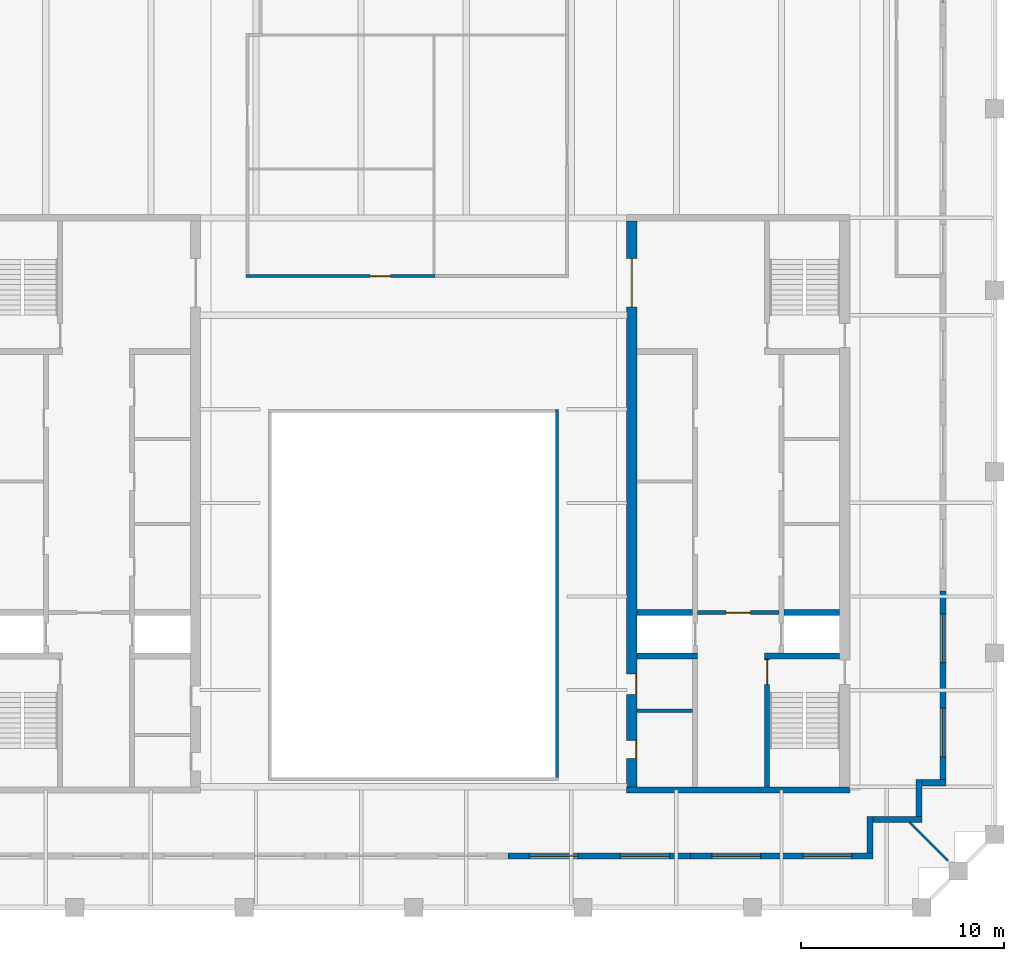
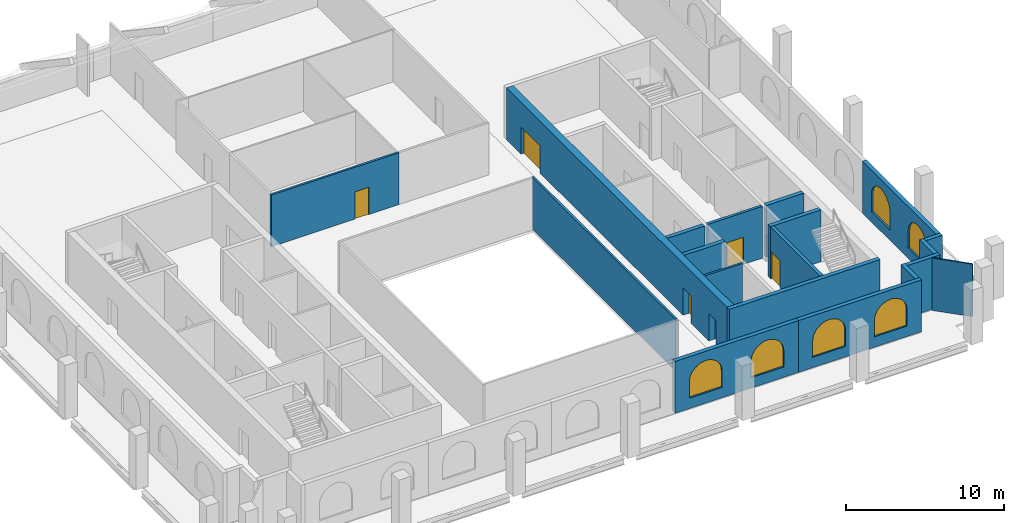
# One storey, part 4 of 8: 19 walls, 6 doors, 6 windows, 12 openings.
"""IFC4 building model written with IfcOpenShell, lengths in metres."""

from ifc_helpers import new_model, si_unit, direction, frame, frame_2d, origin, place, context, subcontext, project, spatial, polyline, rectangle, outline, extrude, material, layer, layer_set, type_object, element, fill, save


model = new_model("IFC4")

# Units and contexts
model_context = context("Model", 3, precision=1e-05, world=origin(), true_north=direction((0.0, 1.0)))
body_context = subcontext(model_context, "Body", "Model", "MODEL_VIEW")
ifc_project = project(units=[si_unit("LENGTHUNIT", "METRE"), si_unit("AREAUNIT", "SQUARE_METRE"), si_unit("VOLUMEUNIT", "CUBIC_METRE"), si_unit("PLANEANGLEUNIT", "RADIAN"), si_unit("MASSUNIT", "GRAM", prefix="KILO")], contexts=[model_context])

# Site, building, storey
site_placement = place(None, origin())
site = spatial("IfcSite", under=ifc_project, at=site_placement, CompositionType="ELEMENT")
building_placement = place(site_placement, origin())
building = spatial("IfcBuilding", under=site, at=building_placement, Name="Ogive Exchange Tower", CompositionType="ELEMENT")
storey_placement = place(building_placement, frame((0.0, 0.0, 377.39990234375)))
storey = spatial("IfcBuildingStorey", under=building, at=storey_placement, Name="C03", CompositionType="ELEMENT", Elevation=377.39990234375)

# Wall
ifc_material_1 = material(Name="Gypsum board partition")
ifc_layer_1 = layer(ifc_material_1, 0.14990234375)
ifc_layer_set_1 = layer_set([ifc_layer_1], Name="Core room partition 150 gypsum")
wall_type_1 = type_object("IfcWallType", Name="Core room partition 150 gypsum", PredefinedType="PARTITIONING", material=ifc_layer_set_1)
wall_1_placement = place(storey_placement, frame((11.0, 1.300048828125, 0.0), z_axis=(0.0, 0.0, 1.0), x_axis=(1.0, 0.0, 0.0)))
element("IfcWall", 1, at=wall_1_placement, inside=storey, type_object=wall_type_1, Name="E south room partition", PredefinedType="PARTITIONING", context=body_context, shape_type="SweptSolid", body=[
    extrude(rectangle(XDim=2.75, YDim=0.14990234375, at=frame_2d((1.375, 0.0))), origin(), (0.0, 0.0, 1.0), 4.0),
])

# Wall, opening, door
ifc_material_2 = material(Name="Fire partition EI 60 150")
ifc_layer_2 = layer(ifc_material_2, 0.14990234375)
ifc_layer_set_2 = layer_set([ifc_layer_2], Name="Fire partition EI 60 150")
wall_type_2 = type_object("IfcWallType", Name="Fire partition EI 60 150", PredefinedType="PARTITIONING", material=ifc_layer_set_2)
wall_2_placement = place(storey_placement, frame((-8.27490234375, 22.719970703125, 0.0), z_axis=(0.0, 0.0, 1.0), x_axis=(1.0, 0.0, 0.0)))
wall_2 = element("IfcWall", 2, at=wall_2_placement, inside=storey, type_object=wall_type_2, Name="C03-PWL-006", PredefinedType="PARTITIONING", context=body_context, shape_type="SweptSolid", body=[
    extrude(rectangle(XDim=9.324951171875, YDim=0.14990234375, at=frame_2d((4.66259765625, 0.0))), origin(), (0.0, 0.0, 1.0), 4.0),
])
opening_1_placement = place(wall_2_placement, frame((6.125, 0.0, 0.0)))
opening_1 = element("IfcOpeningElement", 3, at=opening_1_placement, cuts=wall_2, Name="Opening C03-I03", PredefinedType="OPENING", context=body_context, shape_type="SweptSolid", body=[
    extrude(rectangle(XDim=1.0, YDim=2.10009765625, at=frame_2d((0.5, 1.050048828125))), frame((0.0, 0.0849609375, 0.0), z_axis=(0.0, -1.0, 0.0), x_axis=(1.0, 0.0, 0.0)), (0.0, 0.0, 1.0), 0.169921875),
])
ifc_material_3 = material(Name="Fire door FD 30S 1000 x 2100")
door_type_1 = type_object("IfcDoorType", Name="Fire door FD 30S 1000 x 2100", OperationType="NOTDEFINED", PredefinedType="DOOR", material=ifc_material_3)
door_1_placement = place(opening_1_placement, origin())
door_1 = element("IfcDoor", 4, at=door_1_placement, inside=storey, type_object=door_type_1, Name="C03-IDR-003", ObjectType="DT3", OperationType="SINGLE_SWING_LEFT", OverallHeight=2.10009765625, OverallWidth=1.0, PredefinedType="DOOR", context=body_context, shape_type="SweptSolid", body=[
    extrude(rectangle(XDim=1.0, YDim=2.10009765625, at=frame_2d((0.5, 1.050048828125))), frame((0.0, 0.02490234375, 0.0), z_axis=(0.0, -1.0, 0.0), x_axis=(1.0, 0.0, 0.0)), (0.0, 0.0, 1.0), 0.050048828125),
])
fill(opening_1, door_1)

# Walls
ifc_material_4 = material(Name="Fire-resisting glass in steel frame", Category="steel")
ifc_layer_3 = layer(ifc_material_4, 0.14990234375)
ifc_layer_set_3 = layer_set([ifc_layer_3], Name="Fire-rated glazed wall 150")
wall_type_3 = type_object("IfcWallType", Name="Fire-rated glazed wall 150", PredefinedType="STANDARD", material=ifc_layer_set_3)
wall_3_placement = place(storey_placement, frame((7.074951171875, 16.14990234375, 0.0), z_axis=(0.0, 0.0, 1.0), x_axis=(0.0, -1.0, 0.0)))
element("IfcWall", 5, at=wall_3_placement, inside=storey, type_object=wall_type_3, Name="Nave enclosure wall 3", PredefinedType="STANDARD", context=body_context, shape_type="SweptSolid", body=[
    extrude(rectangle(XDim=18.14990234375, YDim=0.14990234375, at=frame_2d((9.074951171875, 0.0))), origin(), (0.0, 0.0, 1.0), 4.0),
])
ifc_material_5 = material(Name="Laminated safety glass in steel frame", Category="steel")
ifc_layer_4 = layer(ifc_material_5, 0.10009765625)
ifc_layer_set_4 = layer_set([ifc_layer_4], Name="Loggia end screen 100")
wall_type_4 = type_object("IfcWallType", Name="Loggia end screen 100", PredefinedType="STANDARD", material=ifc_layer_set_4)
wall_4_placement = place(storey_placement, frame((24.449951171875, -4.199951171875, -0.0498046875), z_axis=(0.0, 0.0, 1.0), x_axis=(0.707106781187, -0.707106781187, 0.0)))
element("IfcWall", 6, at=wall_4_placement, inside=storey, type_object=wall_type_4, Name="Loggia end screen C1", PredefinedType="STANDARD", context=body_context, shape_type="SweptSolid", body=[
    extrude(rectangle(XDim=2.667236328125, YDim=0.10009765625, at=frame_2d((1.33349609375, 0.0))), origin(), (0.0, 0.0, 1.0), 4.0498046875),
])

# Wall, opening, door
ifc_material_6 = material(Name="Concrete C70/85", Category="concrete")
ifc_layer_5 = layer(ifc_material_6, 0.199951171875)
ifc_layer_set_5 = layer_set([ifc_layer_5], Name="RC core wall 200 C70/85")
wall_type_5 = type_object("IfcWallType", Name="RC core wall 200 C70/85", PredefinedType="SHEAR", material=ifc_layer_set_5)
wall_5_placement = place(storey_placement, frame((14.0, 6.142822265625, 0.0), z_axis=(0.0, 0.0, 1.0), x_axis=(1.0, 0.0, 0.0)))
wall_5 = element("IfcWall", 7, at=wall_5_placement, inside=storey, type_object=wall_type_5, Name="E firefighting lobby wall", PredefinedType="SHEAR", context=body_context, shape_type="SweptSolid", body=[
    extrude(rectangle(XDim=4.0, YDim=0.199951171875, at=frame_2d((2.0, 0.0))), origin(), (0.0, 0.0, 1.0), 4.0),
])
opening_2_placement = place(wall_5_placement, frame((1.39990234375, 0.0, 0.0)))
opening_2 = element("IfcOpeningElement", 8, at=opening_2_placement, cuts=wall_5, Name="Opening C03-C23", PredefinedType="OPENING", context=body_context, shape_type="SweptSolid", body=[
    extrude(rectangle(XDim=1.199951171875, YDim=2.10009765625, at=frame_2d((0.60009765625, 1.050048828125))), frame((0.0, 0.10986328125, 0.0), z_axis=(0.0, -1.0, 0.0), x_axis=(1.0, 0.0, 0.0)), (0.0, 0.0, 1.0), 0.219970703125),
])
ifc_material_7 = material(Name="Steel fire door", Category="steel")
door_type_2 = type_object("IfcDoorType", Name="Firefighting lobby door FD60 1200 x 2100", OperationType="NOTDEFINED", PredefinedType="DOOR", material=ifc_material_7)
door_2_placement = place(opening_2_placement, frame((1.199951171875, 0.0, 0.0), z_axis=(0.0, 0.0, 1.0), x_axis=(-1.0, 0.0, 0.0)))
door_2 = element("IfcDoor", 9, at=door_2_placement, inside=storey, type_object=door_type_2, Name="Firefighting lobby door", ObjectType="CD3", OperationType="SINGLE_SWING_LEFT", OverallHeight=2.10009765625, OverallWidth=1.199951171875, PredefinedType="DOOR", context=body_context, shape_type="SweptSolid", body=[
    extrude(rectangle(XDim=1.199951171875, YDim=2.10009765625, at=frame_2d((0.60009765625, 1.050048828125))), frame((0.0, 0.02490234375, 0.0), z_axis=(0.0, -1.0, 0.0), x_axis=(1.0, 0.0, 0.0)), (0.0, 0.0, 1.0), 0.050048828125),
])
fill(opening_2, door_2)

ifc_layer_6 = layer(ifc_material_6, 0.25)
ifc_layer_set_6 = layer_set([ifc_layer_6], Name="RC core wall 250 C70/85")
wall_type_6 = type_object("IfcWallType", Name="RC core wall 250 C70/85", PredefinedType="SHEAR", material=ifc_layer_set_6)
wall_6_placement = place(storey_placement, frame((17.425048828125, -2.449951171875, 0.0), z_axis=(0.0, 0.0, 1.0), x_axis=(0.0, 1.0, 0.0)))
wall_6 = element("IfcWall", 10, at=wall_6_placement, inside=storey, type_object=wall_type_6, Name="E stair S front wall", PredefinedType="SHEAR", context=body_context, shape_type="SweptSolid", body=[
    extrude(rectangle(XDim=6.300048828125, YDim=0.25, at=frame_2d((3.14990234375, 0.0))), origin(), (0.0, 0.0, 1.0), 4.0),
])
opening_3_placement = place(wall_6_placement, frame((5.050048828125, 0.0, 0.0)))
opening_3 = element("IfcOpeningElement", 11, at=opening_3_placement, cuts=wall_6, Name="Opening C03-C25", PredefinedType="OPENING", context=body_context, shape_type="SweptSolid", body=[
    extrude(rectangle(XDim=1.199951171875, YDim=2.10009765625, at=frame_2d((0.60009765625, 1.050048828125))), frame((0.0, 0.135009765625, 0.0), z_axis=(0.0, -1.0, 0.0), x_axis=(1.0, 0.0, 0.0)), (0.0, 0.0, 1.0), 0.27001953125),
])
door_type_3 = type_object("IfcDoorType", Name="Stair door FD90 1200 x 2100", OperationType="NOTDEFINED", PredefinedType="DOOR", material=ifc_material_7)
door_3_placement = place(opening_3_placement, frame((1.199951171875, 0.0, 0.0), z_axis=(0.0, 0.0, 1.0), x_axis=(-1.0, 0.0, 0.0)))
door_3 = element("IfcDoor", 12, at=door_3_placement, inside=storey, type_object=door_type_3, Name="Stair door", ObjectType="CD5", OperationType="SINGLE_SWING_RIGHT", OverallHeight=2.10009765625, OverallWidth=1.199951171875, PredefinedType="DOOR", context=body_context, shape_type="SweptSolid", body=[
    extrude(rectangle(XDim=1.199951171875, YDim=2.10009765625, at=frame_2d((0.60009765625, 1.050048828125))), frame((0.0, 0.02490234375, 0.0), z_axis=(0.0, -1.0, 0.0), x_axis=(1.0, 0.0, 0.0)), (0.0, 0.0, 1.0), 0.050048828125),
])
fill(opening_3, door_3)

# Walls
ifc_layer_7 = layer(ifc_material_6, 0.300048828125)
ifc_layer_set_7 = layer_set([ifc_layer_7], Name="RC core wall 300 C70/85")
wall_type_7 = type_object("IfcWallType", Name="RC core wall 300 C70/85", PredefinedType="SHEAR", material=ifc_layer_set_7)
wall_7_placement = place(storey_placement, frame((10.5, -2.60009765625, 0.0), z_axis=(0.0, 0.0, 1.0), x_axis=(1.0, 0.0, 0.0)))
element("IfcWall", 13, at=wall_7_placement, inside=storey, type_object=wall_type_7, Name="E south end wall", PredefinedType="SHEAR", context=body_context, shape_type="SweptSolid", body=[
    extrude(rectangle(XDim=11.0, YDim=0.300048828125, at=frame_2d((5.5, 0.0))), origin(), (0.0, 0.0, 1.0), 4.0),
])
wall_8_placement = place(storey_placement, frame((17.300048828125, 4.0, 0.0), z_axis=(0.0, 0.0, 1.0), x_axis=(1.0, 0.0, 0.0)))
element("IfcWall", 14, at=wall_8_placement, inside=storey, type_object=wall_type_7, Name="E stair S north wall", PredefinedType="SHEAR", context=body_context, shape_type="SweptSolid", body=[
    extrude(rectangle(XDim=3.699951171875, YDim=0.300048828125, at=frame_2d((1.85009765625, 0.0))), origin(), (0.0, 0.0, 1.0), 4.0),
])
wall_9_placement = place(storey_placement, frame((18.25, 6.142822265625, 0.0), z_axis=(0.0, 0.0, 1.0), x_axis=(1.0, 0.0, 0.0)))
element("IfcWall", 15, at=wall_9_placement, inside=storey, type_object=wall_type_7, Name="E row A divider 1", PredefinedType="SHEAR", context=body_context, shape_type="SweptSolid", body=[
    extrude(rectangle(XDim=2.75, YDim=0.300048828125, at=frame_2d((1.375, 0.0))), origin(), (0.0, 0.0, 1.0), 4.0),
])
wall_10_placement = place(storey_placement, frame((11.0, 4.0, 0.0), z_axis=(0.0, 0.0, 1.0), x_axis=(1.0, 0.0, 0.0)))
element("IfcWall", 16, at=wall_10_placement, inside=storey, type_object=wall_type_7, Name="E row B divider 0", PredefinedType="SHEAR", context=body_context, shape_type="SweptSolid", body=[
    extrude(rectangle(XDim=3.0, YDim=0.300048828125, at=frame_2d((1.5, 0.0))), origin(), (0.0, 0.0, 1.0), 4.0),
])
wall_11_placement = place(storey_placement, frame((11.0, 6.142822265625, 0.0), z_axis=(0.0, 0.0, 1.0), x_axis=(1.0, 0.0, 0.0)))
element("IfcWall", 17, at=wall_11_placement, inside=storey, type_object=wall_type_7, Name="E row B divider 1", PredefinedType="SHEAR", context=body_context, shape_type="SweptSolid", body=[
    extrude(rectangle(XDim=2.75, YDim=0.300048828125, at=frame_2d((1.375, 0.0))), origin(), (0.0, 0.0, 1.0), 4.0),
])

# Wall, openings, doors
ifc_layer_8 = layer(ifc_material_6, 0.5)
ifc_layer_set_8 = layer_set([ifc_layer_8], Name="RC core wall 500 C70/85")
wall_type_8 = type_object("IfcWallType", Name="RC core wall 500 C70/85", PredefinedType="SHEAR", material=ifc_layer_set_8)
wall_12_placement = place(storey_placement, frame((10.75, -2.449951171875, 0.0), z_axis=(0.0, 0.0, 1.0), x_axis=(0.0, 1.0, 0.0)))
wall_12 = element("IfcWall", 18, at=wall_12_placement, inside=storey, type_object=wall_type_8, Name="E inner wall", PredefinedType="SHEAR", context=body_context, shape_type="SweptSolid", body=[
    extrude(rectangle(XDim=27.89990234375, YDim=0.5, at=frame_2d((13.949951171875, 0.0))), origin(), (0.0, 0.0, 1.0), 4.0),
])
opening_4_placement = place(wall_12_placement, frame((23.64990234375, 0.0, 0.0)))
opening_4 = element("IfcOpeningElement", 19, at=opening_4_placement, cuts=wall_12, Name="Opening C03-C24", PredefinedType="OPENING", context=body_context, shape_type="SweptSolid", body=[
    extrude(rectangle(XDim=2.39990234375, YDim=2.10009765625, at=frame_2d((1.199951171875, 1.050048828125))), frame((0.0, 0.260009765625, 0.0), z_axis=(0.0, -1.0, 0.0), x_axis=(1.0, 0.0, 0.0)), (0.0, 0.0, 1.0), 0.52001953125),
])
opening_5_placement = place(wall_12_placement, frame((1.387451171875, 0.0, 0.0)))
opening_5 = element("IfcOpeningElement", 20, at=opening_5_placement, cuts=wall_12, Name="Opening C03-C29", PredefinedType="OPENING", context=body_context, shape_type="SweptSolid", body=[
    extrude(rectangle(XDim=0.89990234375, YDim=2.10009765625, at=frame_2d((0.449951171875, 1.050048828125))), frame((0.0, 0.260009765625, 0.0), z_axis=(0.0, -1.0, 0.0), x_axis=(1.0, 0.0, 0.0)), (0.0, 0.0, 1.0), 0.52001953125),
])
opening_6_placement = place(wall_12_placement, frame((4.5625, 0.0, 0.0)))
opening_6 = element("IfcOpeningElement", 21, at=opening_6_placement, cuts=wall_12, Name="Opening C03-C30", PredefinedType="OPENING", context=body_context, shape_type="SweptSolid", body=[
    extrude(rectangle(XDim=1.0, YDim=2.10009765625, at=frame_2d((0.5, 1.050048828125))), frame((0.0, 0.260009765625, 0.0), z_axis=(0.0, -1.0, 0.0), x_axis=(1.0, 0.0, 0.0)), (0.0, 0.0, 1.0), 0.52001953125),
])
ifc_material_8 = material(Name="Timber fire door", Category="wood")
door_type_4 = type_object("IfcDoorType", Name="Accessible WC door FD30S 1000 x 2100", OperationType="NOTDEFINED", PredefinedType="DOOR", material=ifc_material_8)
door_4_placement = place(opening_6_placement, origin())
door_4 = element("IfcDoor", 22, at=door_4_placement, inside=storey, type_object=door_type_4, Name="Accessible WC door", ObjectType="CD7", OperationType="SINGLE_SWING_LEFT", OverallHeight=2.10009765625, OverallWidth=1.0, PredefinedType="DOOR", context=body_context, shape_type="SweptSolid", body=[
    extrude(rectangle(XDim=1.0, YDim=2.10009765625, at=frame_2d((0.5, 1.050048828125))), frame((0.0, -0.2001953125, 0.0), z_axis=(0.0, -1.0, 0.0), x_axis=(1.0, 0.0, 0.0)), (0.0, 0.0, 1.0), 0.050048828125),
])
fill(opening_6, door_4)
door_type_5 = type_object("IfcDoorType", Name="Core room door FD30S 900 x 2100", OperationType="NOTDEFINED", PredefinedType="DOOR", material=ifc_material_8)
door_5_placement = place(opening_5_placement, origin())
door_5 = element("IfcDoor", 23, at=door_5_placement, inside=storey, type_object=door_type_5, Name="Core room door", ObjectType="CD6", OperationType="SINGLE_SWING_RIGHT", OverallHeight=2.10009765625, OverallWidth=0.89990234375, PredefinedType="DOOR", context=body_context, shape_type="SweptSolid", body=[
    extrude(rectangle(XDim=0.89990234375, YDim=2.10009765625, at=frame_2d((0.449951171875, 1.050048828125))), frame((0.0, -0.2001953125, 0.0), z_axis=(0.0, -1.0, 0.0), x_axis=(1.0, 0.0, 0.0)), (0.0, 0.0, 1.0), 0.050048828125),
])
fill(opening_5, door_5)
ifc_material_9 = material(Name="Glazed steel fire door", Category="steel")
door_type_6 = type_object("IfcDoorType", Name="Lift lobby double door FD60 2400 x 2100", OperationType="DOUBLE_DOOR_SINGLE_SWING", PredefinedType="DOOR", material=ifc_material_9)
door_6_placement = place(opening_4_placement, origin())
door_6 = element("IfcDoor", 24, at=door_6_placement, inside=storey, type_object=door_type_6, Name="Lift lobby double door", ObjectType="CD4", OperationType="DOUBLE_DOOR_SINGLE_SWING", OverallHeight=2.10009765625, OverallWidth=2.39990234375, PredefinedType="DOOR", context=body_context, shape_type="SweptSolid", body=[
    extrude(rectangle(XDim=2.39990234375, YDim=2.10009765625, at=frame_2d((1.199951171875, 1.050048828125))), frame((0.0, 0.02490234375, 0.0), z_axis=(0.0, -1.0, 0.0), x_axis=(1.0, 0.0, 0.0)), (0.0, 0.0, 1.0), 0.050048828125),
])
fill(opening_4, door_6)

# Wall, openings, windows
ifc_material_10 = material(Name="Precast concrete C40/50", Category="concrete")
ifc_layer_9 = layer(ifc_material_10, 0.300048828125)
ifc_layer_set_9 = layer_set([ifc_layer_9], Name="Zinc-clad crown wall 300")
wall_type_9 = type_object("IfcWallType", Name="Zinc-clad crown wall 300", PredefinedType="STANDARD", material=ifc_layer_set_9)
wall_13_placement = place(storey_placement, frame((4.64990234375, -5.85009765625, 0.0), z_axis=(0.0, 0.0, 1.0), x_axis=(1.0, 0.0, 0.0)))
wall_13 = element("IfcWall", 25, at=wall_13_placement, inside=storey, type_object=wall_type_9, Name="Crown wall 7", PredefinedType="STANDARD", context=body_context, shape_type="SweptSolid", body=[
    extrude(rectangle(XDim=9.0, YDim=0.300048828125, at=frame_2d((4.5, 0.0))), origin(), (0.0, 0.0, 1.0), 4.0),
])
opening_7_placement = place(wall_13_placement, frame((1.050048828125, 0.0, 0.800048828125)))
opening_7 = element("IfcOpeningElement", 26, at=opening_7_placement, cuts=wall_13, Name="Opening WC25", PredefinedType="OPENING", context=body_context, shape_type="SweptSolid", body=[
    extrude(outline(polyline([(0.0, 0.0), (2.39990234375, 0.0), (2.39990234375, 1.25), (2.377197265625, 1.48779296875), (2.3095703125, 1.717041015625), (2.19970703125, 1.928955078125), (2.05126953125, 2.116455078125), (1.8701171875, 2.272216796875), (1.662841796875, 2.390625), (1.4365234375, 2.467529296875), (1.199951171875, 2.5), (0.96337890625, 2.467529296875), (0.737060546875, 2.390625), (0.52978515625, 2.272216796875), (0.3486328125, 2.116455078125), (0.2001953125, 1.928955078125), (0.09033203125, 1.717041015625), (0.022705078125, 1.48779296875), (0.0, 1.25), (0.0, 0.0)])), frame((0.0, 0.159912109375, 0.0), z_axis=(0.0, -1.0, 0.0), x_axis=(1.0, 0.0, 0.0)), (0.0, 0.0, 1.0), 0.320068359375),
])
opening_8_placement = place(wall_13_placement, frame((5.550048828125, 0.0, 0.800048828125)))
opening_8 = element("IfcOpeningElement", 27, at=opening_8_placement, cuts=wall_13, Name="Opening WC25", PredefinedType="OPENING", context=body_context, shape_type="SweptSolid", body=[
    extrude(outline(polyline([(0.0, 0.0), (2.39990234375, 0.0), (2.39990234375, 1.25), (2.377197265625, 1.48779296875), (2.3095703125, 1.717041015625), (2.19970703125, 1.928955078125), (2.05126953125, 2.116455078125), (1.8701171875, 2.272216796875), (1.662841796875, 2.390625), (1.4365234375, 2.467529296875), (1.199951171875, 2.5), (0.96337890625, 2.467529296875), (0.737060546875, 2.390625), (0.52978515625, 2.272216796875), (0.3486328125, 2.116455078125), (0.2001953125, 1.928955078125), (0.09033203125, 1.717041015625), (0.022705078125, 1.48779296875), (0.0, 1.25), (0.0, 0.0)])), frame((0.0, 0.159912109375, 0.0), z_axis=(0.0, -1.0, 0.0), x_axis=(1.0, 0.0, 0.0)), (0.0, 0.0, 1.0), 0.320068359375),
])
ifc_material_11 = material(Name="Clear glass in bronze frame", Category="glass")
window_type = type_object("IfcWindowType", Name="Crown lancet window 2400 x 2500", PartitioningType="DOUBLE_PANEL_VERTICAL", PredefinedType="WINDOW", material=ifc_material_11)
window_1_placement = place(opening_7_placement, origin())
window_1 = element("IfcWindow", 28, at=window_1_placement, inside=storey, type_object=window_type, Name="Crown lancet 7.1", OverallHeight=2.5, OverallWidth=2.39990234375, PartitioningType="DOUBLE_PANEL_VERTICAL", PredefinedType="WINDOW", context=body_context, shape_type="SweptSolid", body=[
    extrude(outline(polyline([(0.0, 0.0), (2.39990234375, 0.0), (2.39990234375, 1.25), (2.377197265625, 1.48779296875), (2.3095703125, 1.717041015625), (2.19970703125, 1.928955078125), (2.05126953125, 2.116455078125), (1.8701171875, 2.272216796875), (1.662841796875, 2.390625), (1.4365234375, 2.467529296875), (1.199951171875, 2.5), (0.96337890625, 2.467529296875), (0.737060546875, 2.390625), (0.52978515625, 2.272216796875), (0.3486328125, 2.116455078125), (0.2001953125, 1.928955078125), (0.09033203125, 1.717041015625), (0.022705078125, 1.48779296875), (0.0, 1.25), (0.0, 0.0)])), frame((0.0, 0.030029296875, 0.0), z_axis=(0.0, -1.0, 0.0), x_axis=(1.0, 0.0, 0.0)), (0.0, 0.0, 1.0), 0.06005859375),
])
fill(opening_7, window_1)
window_2_placement = place(opening_8_placement, origin())
window_2 = element("IfcWindow", 29, at=window_2_placement, inside=storey, type_object=window_type, Name="Crown lancet 7.2", OverallHeight=2.5, OverallWidth=2.39990234375, PartitioningType="DOUBLE_PANEL_VERTICAL", PredefinedType="WINDOW", context=body_context, shape_type="SweptSolid", body=[
    extrude(outline(polyline([(0.0, 0.0), (2.39990234375, 0.0), (2.39990234375, 1.25), (2.377197265625, 1.48779296875), (2.3095703125, 1.717041015625), (2.19970703125, 1.928955078125), (2.05126953125, 2.116455078125), (1.8701171875, 2.272216796875), (1.662841796875, 2.390625), (1.4365234375, 2.467529296875), (1.199951171875, 2.5), (0.96337890625, 2.467529296875), (0.737060546875, 2.390625), (0.52978515625, 2.272216796875), (0.3486328125, 2.116455078125), (0.2001953125, 1.928955078125), (0.09033203125, 1.717041015625), (0.022705078125, 1.48779296875), (0.0, 1.25), (0.0, 0.0)])), frame((0.0, 0.030029296875, 0.0), z_axis=(0.0, -1.0, 0.0), x_axis=(1.0, 0.0, 0.0)), (0.0, 0.0, 1.0), 0.06005859375),
])
fill(opening_8, window_2)

wall_14_placement = place(storey_placement, frame((13.64990234375, -5.85009765625, 0.0), z_axis=(0.0, 0.0, 1.0), x_axis=(1.0, 0.0, 0.0)))
wall_14 = element("IfcWall", 30, at=wall_14_placement, inside=storey, type_object=wall_type_9, Name="Crown wall 8", PredefinedType="STANDARD", context=body_context, shape_type="SweptSolid", body=[
    extrude(rectangle(XDim=9.0, YDim=0.300048828125, at=frame_2d((4.5, 0.0))), origin(), (0.0, 0.0, 1.0), 4.0),
])
opening_9_placement = place(wall_14_placement, frame((1.050048828125, 0.0, 0.800048828125)))
opening_9 = element("IfcOpeningElement", 31, at=opening_9_placement, cuts=wall_14, Name="Opening WC25", PredefinedType="OPENING", context=body_context, shape_type="SweptSolid", body=[
    extrude(outline(polyline([(0.0, 0.0), (2.39990234375, 0.0), (2.39990234375, 1.25), (2.377197265625, 1.48779296875), (2.3095703125, 1.717041015625), (2.19970703125, 1.928955078125), (2.05126953125, 2.116455078125), (1.8701171875, 2.272216796875), (1.662841796875, 2.390625), (1.4365234375, 2.467529296875), (1.199951171875, 2.5), (0.96337890625, 2.467529296875), (0.737060546875, 2.390625), (0.52978515625, 2.272216796875), (0.3486328125, 2.116455078125), (0.2001953125, 1.928955078125), (0.09033203125, 1.717041015625), (0.022705078125, 1.48779296875), (0.0, 1.25), (0.0, 0.0)])), frame((0.0, 0.159912109375, 0.0), z_axis=(0.0, -1.0, 0.0), x_axis=(1.0, 0.0, 0.0)), (0.0, 0.0, 1.0), 0.320068359375),
])
opening_10_placement = place(wall_14_placement, frame((5.550048828125, 0.0, 0.800048828125)))
opening_10 = element("IfcOpeningElement", 32, at=opening_10_placement, cuts=wall_14, Name="Opening WC25", PredefinedType="OPENING", context=body_context, shape_type="SweptSolid", body=[
    extrude(outline(polyline([(0.0, 0.0), (2.39990234375, 0.0), (2.39990234375, 1.25), (2.377197265625, 1.48779296875), (2.3095703125, 1.717041015625), (2.19970703125, 1.928955078125), (2.05126953125, 2.116455078125), (1.8701171875, 2.272216796875), (1.662841796875, 2.390625), (1.4365234375, 2.467529296875), (1.199951171875, 2.5), (0.96337890625, 2.467529296875), (0.737060546875, 2.390625), (0.52978515625, 2.272216796875), (0.3486328125, 2.116455078125), (0.2001953125, 1.928955078125), (0.09033203125, 1.717041015625), (0.022705078125, 1.48779296875), (0.0, 1.25), (0.0, 0.0)])), frame((0.0, 0.159912109375, 0.0), z_axis=(0.0, -1.0, 0.0), x_axis=(1.0, 0.0, 0.0)), (0.0, 0.0, 1.0), 0.320068359375),
])
window_3_placement = place(opening_9_placement, origin())
window_3 = element("IfcWindow", 33, at=window_3_placement, inside=storey, type_object=window_type, Name="Crown lancet 8.1", OverallHeight=2.5, OverallWidth=2.39990234375, PartitioningType="DOUBLE_PANEL_VERTICAL", PredefinedType="WINDOW", context=body_context, shape_type="SweptSolid", body=[
    extrude(outline(polyline([(0.0, 0.0), (2.39990234375, 0.0), (2.39990234375, 1.25), (2.377197265625, 1.48779296875), (2.3095703125, 1.717041015625), (2.19970703125, 1.928955078125), (2.05126953125, 2.116455078125), (1.8701171875, 2.272216796875), (1.662841796875, 2.390625), (1.4365234375, 2.467529296875), (1.199951171875, 2.5), (0.96337890625, 2.467529296875), (0.737060546875, 2.390625), (0.52978515625, 2.272216796875), (0.3486328125, 2.116455078125), (0.2001953125, 1.928955078125), (0.09033203125, 1.717041015625), (0.022705078125, 1.48779296875), (0.0, 1.25), (0.0, 0.0)])), frame((0.0, 0.030029296875, 0.0), z_axis=(0.0, -1.0, 0.0), x_axis=(1.0, 0.0, 0.0)), (0.0, 0.0, 1.0), 0.06005859375),
])
fill(opening_9, window_3)
window_4_placement = place(opening_10_placement, origin())
window_4 = element("IfcWindow", 34, at=window_4_placement, inside=storey, type_object=window_type, Name="Crown lancet 8.2", OverallHeight=2.5, OverallWidth=2.39990234375, PartitioningType="DOUBLE_PANEL_VERTICAL", PredefinedType="WINDOW", context=body_context, shape_type="SweptSolid", body=[
    extrude(outline(polyline([(0.0, 0.0), (2.39990234375, 0.0), (2.39990234375, 1.25), (2.377197265625, 1.48779296875), (2.3095703125, 1.717041015625), (2.19970703125, 1.928955078125), (2.05126953125, 2.116455078125), (1.8701171875, 2.272216796875), (1.662841796875, 2.390625), (1.4365234375, 2.467529296875), (1.199951171875, 2.5), (0.96337890625, 2.467529296875), (0.737060546875, 2.390625), (0.52978515625, 2.272216796875), (0.3486328125, 2.116455078125), (0.2001953125, 1.928955078125), (0.09033203125, 1.717041015625), (0.022705078125, 1.48779296875), (0.0, 1.25), (0.0, 0.0)])), frame((0.0, 0.030029296875, 0.0), z_axis=(0.0, -1.0, 0.0), x_axis=(1.0, 0.0, 0.0)), (0.0, 0.0, 1.0), 0.06005859375),
])
fill(opening_10, window_4)

# Walls
wall_15_placement = place(storey_placement, frame((22.5, -5.699951171875, 0.0), z_axis=(0.0, 0.0, 1.0), x_axis=(0.0, 1.0, 0.0)))
element("IfcWall", 35, at=wall_15_placement, inside=storey, type_object=wall_type_9, Name="Crown wall 9", PredefinedType="STANDARD", context=body_context, shape_type="SweptSolid", body=[
    extrude(rectangle(XDim=1.800048828125, YDim=0.300048828125, at=frame_2d((0.89990234375, 0.0))), origin(), (0.0, 0.0, 1.0), 4.0),
])
wall_16_placement = place(storey_placement, frame((22.64990234375, -4.050048828125, 0.0), z_axis=(0.0, 0.0, 1.0), x_axis=(1.0, 0.0, 0.0)))
element("IfcWall", 36, at=wall_16_placement, inside=storey, type_object=wall_type_9, Name="Crown wall 10", PredefinedType="STANDARD", context=body_context, shape_type="SweptSolid", body=[
    extrude(rectangle(XDim=2.400146484375, YDim=0.300048828125, at=frame_2d((1.2001953125, 0.0))), origin(), (0.0, 0.0, 1.0), 4.0),
])
wall_17_placement = place(storey_placement, frame((24.89990234375, -3.89990234375, 0.0), z_axis=(0.0, 0.0, 1.0), x_axis=(0.0, 1.0, 0.0)))
element("IfcWall", 37, at=wall_17_placement, inside=storey, type_object=wall_type_9, Name="Crown wall 11", PredefinedType="STANDARD", context=body_context, shape_type="SweptSolid", body=[
    extrude(rectangle(XDim=1.7998046875, YDim=0.300048828125, at=frame_2d((0.89990234375, 0.0))), origin(), (0.0, 0.0, 1.0), 4.0),
])
wall_18_placement = place(storey_placement, frame((25.050048828125, -2.25, 0.0), z_axis=(0.0, 0.0, 1.0), x_axis=(1.0, 0.0, 0.0)))
element("IfcWall", 38, at=wall_18_placement, inside=storey, type_object=wall_type_9, Name="Crown wall 12", PredefinedType="STANDARD", context=body_context, shape_type="SweptSolid", body=[
    extrude(rectangle(XDim=1.199951171875, YDim=0.300048828125, at=frame_2d((0.60009765625, 0.0))), origin(), (0.0, 0.0, 1.0), 4.0),
])

# Wall, openings, windows
wall_19_placement = place(storey_placement, frame((26.10009765625, -2.10009765625, 0.0), z_axis=(0.0, 0.0, 1.0), x_axis=(0.0, 1.0, 0.0)))
wall_19 = element("IfcWall", 39, at=wall_19_placement, inside=storey, type_object=wall_type_9, Name="Crown wall 13", PredefinedType="STANDARD", context=body_context, shape_type="SweptSolid", body=[
    extrude(rectangle(XDim=9.30029296875, YDim=0.300048828125, at=frame_2d((4.650146484375, 0.0))), origin(), (0.0, 0.0, 1.0), 4.0),
])
opening_11_placement = place(wall_19_placement, frame((1.125, 0.0, 0.800048828125)))
opening_11 = element("IfcOpeningElement", 40, at=opening_11_placement, cuts=wall_19, Name="Opening WC25", PredefinedType="OPENING", context=body_context, shape_type="SweptSolid", body=[
    extrude(outline(polyline([(0.0, 0.0), (2.39990234375, 0.0), (2.39990234375, 1.25), (2.377197265625, 1.48779296875), (2.3095703125, 1.717041015625), (2.19970703125, 1.928955078125), (2.05126953125, 2.116455078125), (1.8701171875, 2.272216796875), (1.662841796875, 2.390625), (1.4365234375, 2.467529296875), (1.199951171875, 2.5), (0.96337890625, 2.467529296875), (0.737060546875, 2.390625), (0.52978515625, 2.272216796875), (0.3486328125, 2.116455078125), (0.2001953125, 1.928955078125), (0.09033203125, 1.717041015625), (0.022705078125, 1.48779296875), (0.0, 1.25), (0.0, 0.0)])), frame((0.0, 0.159912109375, 0.0), z_axis=(0.0, -1.0, 0.0), x_axis=(1.0, 0.0, 0.0)), (0.0, 0.0, 1.0), 0.320068359375),
])
opening_12_placement = place(wall_19_placement, frame((5.775146484375, 0.0, 0.800048828125)))
opening_12 = element("IfcOpeningElement", 41, at=opening_12_placement, cuts=wall_19, Name="Opening WC25", PredefinedType="OPENING", context=body_context, shape_type="SweptSolid", body=[
    extrude(outline(polyline([(0.0, 0.0), (2.39990234375, 0.0), (2.39990234375, 1.25), (2.377197265625, 1.48779296875), (2.3095703125, 1.717041015625), (2.19970703125, 1.928955078125), (2.05126953125, 2.116455078125), (1.8701171875, 2.272216796875), (1.662841796875, 2.390625), (1.4365234375, 2.467529296875), (1.199951171875, 2.5), (0.96337890625, 2.467529296875), (0.737060546875, 2.390625), (0.52978515625, 2.272216796875), (0.3486328125, 2.116455078125), (0.2001953125, 1.928955078125), (0.09033203125, 1.717041015625), (0.022705078125, 1.48779296875), (0.0, 1.25), (0.0, 0.0)])), frame((0.0, 0.159912109375, 0.0), z_axis=(0.0, -1.0, 0.0), x_axis=(1.0, 0.0, 0.0)), (0.0, 0.0, 1.0), 0.320068359375),
])
window_5_placement = place(opening_11_placement, origin())
window_5 = element("IfcWindow", 42, at=window_5_placement, inside=storey, type_object=window_type, Name="Crown lancet 13.1", OverallHeight=2.5, OverallWidth=2.39990234375, PartitioningType="DOUBLE_PANEL_VERTICAL", PredefinedType="WINDOW", context=body_context, shape_type="SweptSolid", body=[
    extrude(outline(polyline([(0.0, 0.0), (2.39990234375, 0.0), (2.39990234375, 1.25), (2.377197265625, 1.48779296875), (2.3095703125, 1.717041015625), (2.19970703125, 1.928955078125), (2.05126953125, 2.116455078125), (1.8701171875, 2.272216796875), (1.662841796875, 2.390625), (1.4365234375, 2.467529296875), (1.199951171875, 2.5), (0.96337890625, 2.467529296875), (0.737060546875, 2.390625), (0.52978515625, 2.272216796875), (0.3486328125, 2.116455078125), (0.2001953125, 1.928955078125), (0.09033203125, 1.717041015625), (0.022705078125, 1.48779296875), (0.0, 1.25), (0.0, 0.0)])), frame((0.0, 0.030029296875, 0.0), z_axis=(0.0, -1.0, 0.0), x_axis=(1.0, 0.0, 0.0)), (0.0, 0.0, 1.0), 0.06005859375),
])
fill(opening_11, window_5)
window_6_placement = place(opening_12_placement, origin())
window_6 = element("IfcWindow", 43, at=window_6_placement, inside=storey, type_object=window_type, Name="Crown lancet 13.2", OverallHeight=2.5, OverallWidth=2.39990234375, PartitioningType="DOUBLE_PANEL_VERTICAL", PredefinedType="WINDOW", context=body_context, shape_type="SweptSolid", body=[
    extrude(outline(polyline([(0.0, 0.0), (2.39990234375, 0.0), (2.39990234375, 1.25), (2.377197265625, 1.48779296875), (2.3095703125, 1.717041015625), (2.19970703125, 1.928955078125), (2.05126953125, 2.116455078125), (1.8701171875, 2.272216796875), (1.662841796875, 2.390625), (1.4365234375, 2.467529296875), (1.199951171875, 2.5), (0.96337890625, 2.467529296875), (0.737060546875, 2.390625), (0.52978515625, 2.272216796875), (0.3486328125, 2.116455078125), (0.2001953125, 1.928955078125), (0.09033203125, 1.717041015625), (0.022705078125, 1.48779296875), (0.0, 1.25), (0.0, 0.0)])), frame((0.0, 0.030029296875, 0.0), z_axis=(0.0, -1.0, 0.0), x_axis=(1.0, 0.0, 0.0)), (0.0, 0.0, 1.0), 0.06005859375),
])
fill(opening_12, window_6)

save(model, "model.ifc")
